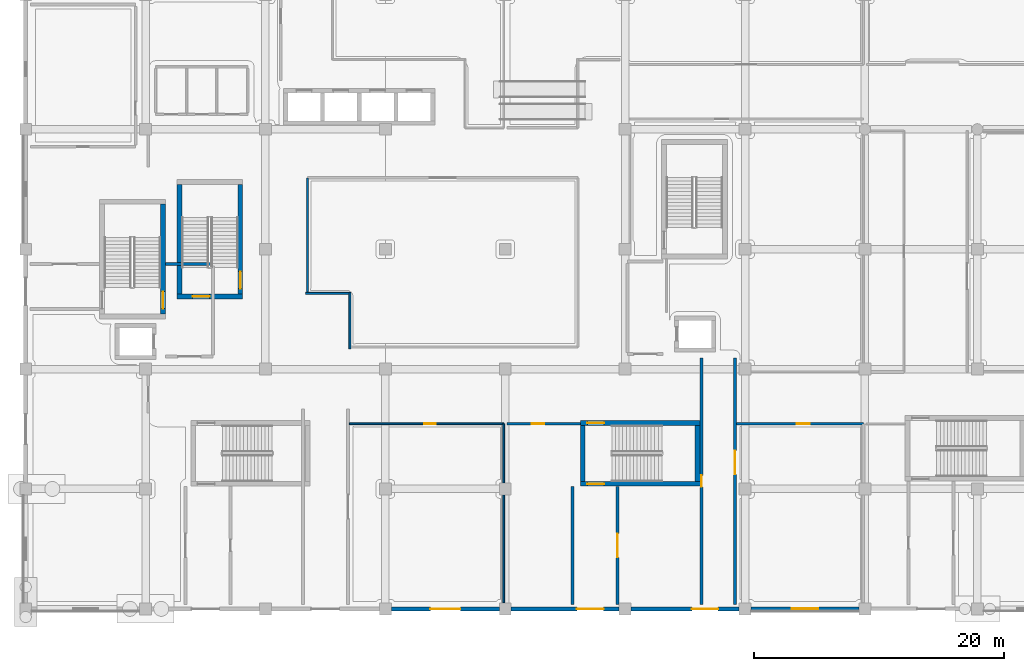
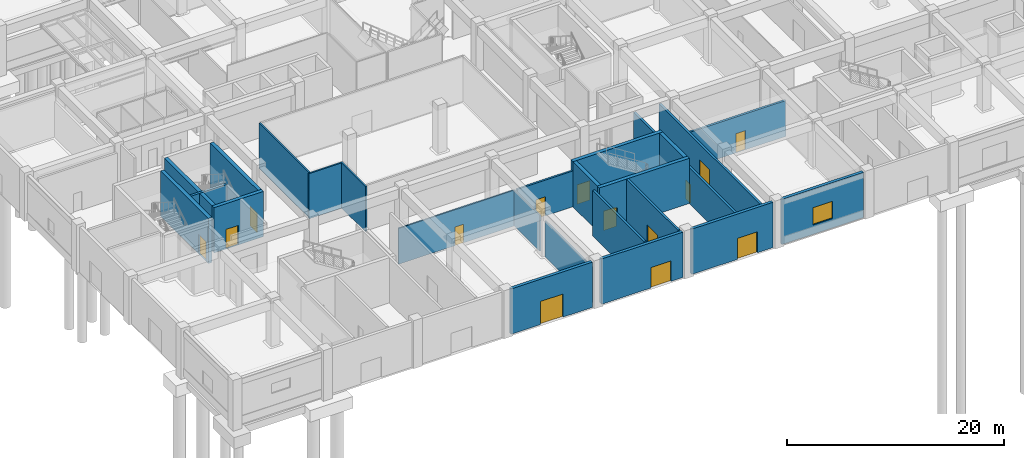
# One storey, part 28 of 74: 25 walls, 14 doors, 1 window, 15 openings.
"""IFC4 building model written with IfcOpenShell, lengths in metres."""

from ifc_helpers import new_model, si_unit, direction, frame, frame_2d, origin, place, context, subcontext, project, spatial, rectangle, extrude, material, layer, layer_set, type_object, element, fill, save


model = new_model("IFC4")

# Units and contexts
model_context = context("Model", 3, precision=1e-05, world=origin(), true_north=direction((0.0, 1.0)))
body_context = subcontext(model_context, "Body", "Model", "MODEL_VIEW")
ifc_project = project(units=[si_unit("LENGTHUNIT", "METRE"), si_unit("AREAUNIT", "SQUARE_METRE"), si_unit("VOLUMEUNIT", "CUBIC_METRE"), si_unit("PLANEANGLEUNIT", "RADIAN"), si_unit("MASSUNIT", "GRAM", prefix="KILO")], contexts=[model_context])

# Site, building, storey
site_placement = place(None, origin())
site = spatial("IfcSite", under=ifc_project, at=site_placement, CompositionType="ELEMENT")
building_placement = place(site_placement, origin())
building = spatial("IfcBuilding", under=site, at=building_placement, Name="Cendralis Terraced Arcade", CompositionType="ELEMENT")
storey_placement = place(building_placement, origin())
storey = spatial("IfcBuildingStorey", under=building, at=storey_placement, Name="L00", CompositionType="ELEMENT", Elevation=0.0)

# Wall, opening, door
ifc_material_1 = material(Name="Gypsum plasterboard acoustic partition", Category="concrete")
ifc_layer_1 = layer(ifc_material_1, 0.195068359375, Name="WL-ACOU-195")
ifc_layer_set_1 = layer_set([ifc_layer_1], Name="Gypsum plasterboard acoustic partition")
wall_type_1 = type_object("IfcWallType", Name="WL-ACOU-195", PredefinedType="PARTITIONING", material=ifc_layer_set_1)
wall_1_placement = place(storey_placement, frame((38.52001953125, 14.820068359375, 0.0), z_axis=(0.0, 0.0, 1.0), x_axis=(1.0, 0.0, 0.0)))
wall_1 = element("IfcWall", 1, at=wall_1_placement, inside=storey, type_object=wall_type_1, Name="Interior Partition Wall IW-L00-0229", PredefinedType="PARTITIONING", context=body_context, shape_type="SweptSolid", body=[
    extrude(rectangle(XDim=5.89990234375, YDim=0.195068359375, at=frame_2d((2.949951171875, 0.0))), origin(), (0.0, 0.0, 1.0), 4.030029296875),
])
opening_1_placement = place(wall_1_placement, frame((2.01171875, 0.0, 0.0)))
opening_1 = element("IfcOpeningElement", 2, at=opening_1_placement, cuts=wall_1, Name="Opening D-L00-069", PredefinedType="OPENING", context=body_context, shape_type="SweptSolid", body=[
    extrude(rectangle(XDim=0.97998046875, YDim=2.14990234375, at=frame_2d((0.489990234375, 1.074951171875))), frame((0.0, 0.109375, 0.0), z_axis=(0.0, -1.0, 0.0), x_axis=(1.0, 0.0, 0.0)), (0.0, 0.0, 1.0), 0.218994140625),
])
ifc_material_2 = material(Name="Solid core Andean oak veneer door leaf", Category="aluminium")
door_type_1 = type_object("IfcDoorType", Name="ID-RM-0980x2150", OperationType="NOTDEFINED", PredefinedType="DOOR", material=ifc_material_2)
door_1_placement = place(opening_1_placement, origin())
door_1 = element("IfcDoor", 3, at=door_1_placement, inside=storey, type_object=door_type_1, Name="Luxury Leather and Accessories Sales Floor Door D-L00-069", OperationType="SINGLE_SWING_LEFT", OverallHeight=2.14990234375, OverallWidth=0.97998046875, PredefinedType="DOOR", context=body_context, shape_type="SweptSolid", body=[
    extrude(rectangle(XDim=0.97998046875, YDim=2.14990234375, at=frame_2d((0.489990234375, 1.074951171875))), frame((0.0, 0.02490234375, 0.0), z_axis=(0.0, -1.0, 0.0), x_axis=(1.0, 0.0, 0.0)), (0.0, 0.0, 1.0), 0.050048828125),
])
fill(opening_1, door_1)

ifc_material_3 = material(Name="Autoclaved aerated concrete blockwork", Category="masonry")
ifc_layer_2 = layer(ifc_material_3, 0.22802734375, Name="WL-ACOU-228")
ifc_layer_set_2 = layer_set([ifc_layer_2], Name="Autoclaved aerated concrete blockwork")
wall_type_2 = type_object("IfcWallType", Name="WL-ACOU-228", PredefinedType="PARTITIONING", material=ifc_layer_set_2)
wall_2_placement = place(storey_placement, frame((56.91748046875, 14.820068359375, 0.0), z_axis=(0.0, 0.0, 1.0), x_axis=(1.0, 0.0, 0.0)))
wall_2 = element("IfcWall", 4, at=wall_2_placement, inside=storey, type_object=wall_type_2, Name="Interior Partition Wall IW-L00-0226", PredefinedType="PARTITIONING", context=body_context, shape_type="SweptSolid", body=[
    extrude(rectangle(XDim=10.16259765625, YDim=0.22802734375, at=frame_2d((5.081298828125, 0.0))), origin(), (0.0, 0.0, 1.0), 4.030029296875),
])
opening_2_placement = place(wall_2_placement, frame((4.83740234375, 0.0, 0.0)))
opening_2 = element("IfcOpeningElement", 5, at=opening_2_placement, cuts=wall_2, Name="Opening D-L00-067", PredefinedType="OPENING", context=body_context, shape_type="SweptSolid", body=[
    extrude(rectangle(XDim=1.030029296875, YDim=2.159912109375, at=frame_2d((0.51513671875, 1.080078125))), frame((0.0, 0.1259765625, 0.0), z_axis=(0.0, -1.0, 0.0), x_axis=(1.0, 0.0, 0.0)), (0.0, 0.0, 1.0), 0.251953125),
])
door_type_2 = type_object("IfcDoorType", Name="ID-RM-1030x2160", OperationType="NOTDEFINED", PredefinedType="DOOR", material=ifc_material_2)
door_2_placement = place(opening_2_placement, origin())
door_2 = element("IfcDoor", 6, at=door_2_placement, inside=storey, type_object=door_type_2, Name="Luxury Leather and Accessories Sales Floor Door D-L00-067", OperationType="SINGLE_SWING_LEFT", OverallHeight=2.159912109375, OverallWidth=1.030029296875, PredefinedType="DOOR", context=body_context, shape_type="SweptSolid", body=[
    extrude(rectangle(XDim=1.030029296875, YDim=2.159912109375, at=frame_2d((0.51513671875, 1.080078125))), frame((0.0, 0.02490234375, 0.0), z_axis=(0.0, -1.0, 0.0), x_axis=(1.0, 0.0, 0.0)), (0.0, 0.0, 1.0), 0.050048828125),
])
fill(opening_2, door_2)

ifc_material_4 = material(Name="Concrete f'c 42 MPa", Category="concrete")
ifc_layer_3 = layer(ifc_material_4, 0.3798828125, Name="WL-CORE-380")
ifc_layer_set_3 = layer_set([ifc_layer_3], Name="Concrete f'c 42 MPa")
wall_type_3 = type_object("IfcWallType", Name="WL-CORE-380", PredefinedType="SHEAR", material=ifc_layer_set_3)
wall_3_placement = place(storey_placement, frame((10.989990234375, 23.60009765625, 0.0), z_axis=(0.0, 0.0, 1.0), x_axis=(0.0, 1.0, 0.0)))
wall_3 = element("IfcWall", 7, at=wall_3_placement, inside=storey, type_object=wall_type_3, Name="Stair Core Reinforced Concrete Shear Wall SW-ST-01-L00-E", PredefinedType="SHEAR", context=body_context, shape_type="SweptSolid", body=[
    extrude(rectangle(XDim=8.7998046875, YDim=0.3798828125, at=frame_2d((4.39990234375, 0.0))), origin(), (0.0, 0.0, 1.0), 5.090087890625),
])
opening_3_placement = place(wall_3_placement, frame((0.449951171875, 0.0, 0.0)))
opening_3 = element("IfcOpeningElement", 8, at=opening_3_placement, cuts=wall_3, Name="Opening D-ST-01-L00", PredefinedType="OPENING", context=body_context, shape_type="SweptSolid", body=[
    extrude(rectangle(XDim=1.35009765625, YDim=2.199951171875, at=frame_2d((0.675048828125, 1.10009765625))), frame((0.0, 0.201904296875, 0.0), z_axis=(0.0, -1.0, 0.0), x_axis=(1.0, 0.0, 0.0)), (0.0, 0.0, 1.0), 0.40380859375),
])
ifc_material_5 = material(Name="Galvanised fire-rated steel door assembly", Category="steel")
door_type_3 = type_object("IfcDoorType", Name="ID-ST-1350x2200", OperationType="NOTDEFINED", PredefinedType="DOOR", material=ifc_material_5)
door_3_placement = place(opening_3_placement, origin())
door_3 = element("IfcDoor", 9, at=door_3_placement, inside=storey, type_object=door_type_3, Name="Protected Stair ST-01 Fire Door (L00)", OperationType="SINGLE_SWING_LEFT", OverallHeight=2.199951171875, OverallWidth=1.35009765625, PredefinedType="DOOR", context=body_context, shape_type="SweptSolid", body=[
    extrude(rectangle(XDim=1.35009765625, YDim=2.199951171875, at=frame_2d((0.675048828125, 1.10009765625))), frame((0.0, 0.02490234375, 0.0), z_axis=(0.0, -1.0, 0.0), x_axis=(1.0, 0.0, 0.0)), (0.0, 0.0, 1.0), 0.050048828125),
])
fill(opening_3, door_3)

wall_4_placement = place(storey_placement, frame((44.419921875, 10.010009765625, 0.0), z_axis=(0.0, 0.0, 1.0), x_axis=(1.0, 0.0, 0.0)))
wall_4 = element("IfcWall", 10, at=wall_4_placement, inside=storey, type_object=wall_type_3, Name="Stair Core Reinforced Concrete Shear Wall SW-ST-03-L00-S", PredefinedType="SHEAR", context=body_context, shape_type="SweptSolid", body=[
    extrude(rectangle(XDim=9.56005859375, YDim=0.3798828125, at=frame_2d((4.780029296875, 0.0))), origin(), (0.0, 0.0, 1.0), 5.090087890625),
])
opening_4_placement = place(wall_4_placement, frame((0.550048828125, 0.0, 0.0)))
opening_4 = element("IfcOpeningElement", 11, at=opening_4_placement, cuts=wall_4, Name="Opening D-ST-03-EXP", PredefinedType="OPENING", context=body_context, shape_type="SweptSolid", body=[
    extrude(rectangle(XDim=1.35009765625, YDim=2.199951171875, at=frame_2d((0.675048828125, 1.10009765625))), frame((0.0, 0.201904296875, 0.0), z_axis=(0.0, -1.0, 0.0), x_axis=(1.0, 0.0, 0.0)), (0.0, 0.0, 1.0), 0.40380859375),
])
door_4_placement = place(opening_4_placement, frame((1.35009765625, 0.0, 0.0), z_axis=(0.0, 0.0, 1.0), x_axis=(-1.0, 0.0, 0.0)))
door_4 = element("IfcDoor", 12, at=door_4_placement, inside=storey, type_object=door_type_3, Name="Stair ST-03 Exit Passage Discharge Door", OperationType="SINGLE_SWING_RIGHT", OverallHeight=2.199951171875, OverallWidth=1.35009765625, PredefinedType="DOOR", context=body_context, shape_type="SweptSolid", body=[
    extrude(rectangle(XDim=1.35009765625, YDim=2.199951171875, at=frame_2d((0.675048828125, 1.10009765625))), frame((0.0, 0.02490234375, 0.0), z_axis=(0.0, -1.0, 0.0), x_axis=(1.0, 0.0, 0.0)), (0.0, 0.0, 1.0), 0.050048828125),
])
fill(opening_4, door_4)

wall_5_placement = place(storey_placement, frame((44.419921875, 14.889892578125, 0.0), z_axis=(0.0, 0.0, 1.0), x_axis=(1.0, 0.0, 0.0)))
wall_5 = element("IfcWall", 13, at=wall_5_placement, inside=storey, type_object=wall_type_3, Name="Stair Core Reinforced Concrete Shear Wall SW-ST-03-L00-N", PredefinedType="SHEAR", context=body_context, shape_type="SweptSolid", body=[
    extrude(rectangle(XDim=9.56005859375, YDim=0.3798828125, at=frame_2d((4.780029296875, 0.0))), origin(), (0.0, 0.0, 1.0), 5.090087890625),
])
opening_5_placement = place(wall_5_placement, frame((0.550048828125, 0.0, 0.0)))
opening_5 = element("IfcOpeningElement", 14, at=opening_5_placement, cuts=wall_5, Name="Opening D-ST-03-L00", PredefinedType="OPENING", context=body_context, shape_type="SweptSolid", body=[
    extrude(rectangle(XDim=1.35009765625, YDim=2.199951171875, at=frame_2d((0.675048828125, 1.10009765625))), frame((0.0, 0.201904296875, 0.0), z_axis=(0.0, -1.0, 0.0), x_axis=(1.0, 0.0, 0.0)), (0.0, 0.0, 1.0), 0.40380859375),
])
door_5_placement = place(opening_5_placement, frame((1.35009765625, 0.0, 0.0), z_axis=(0.0, 0.0, 1.0), x_axis=(-1.0, 0.0, 0.0)))
door_5 = element("IfcDoor", 15, at=door_5_placement, inside=storey, type_object=door_type_3, Name="Protected Stair ST-03 Fire Door (L00)", OperationType="SINGLE_SWING_LEFT", OverallHeight=2.199951171875, OverallWidth=1.35009765625, PredefinedType="DOOR", context=body_context, shape_type="SweptSolid", body=[
    extrude(rectangle(XDim=1.35009765625, YDim=2.199951171875, at=frame_2d((0.675048828125, 1.10009765625))), frame((0.0, 0.02490234375, 0.0), z_axis=(0.0, -1.0, 0.0), x_axis=(1.0, 0.0, 0.0)), (0.0, 0.0, 1.0), 0.050048828125),
])
fill(opening_5, door_5)

# Walls
for number, where, z_axis, x_axis, name in (
    (16, (53.7900390625, 10.199951171875, 0.0), (0.0, 0.0, 1.0), (0.0, 1.0, 0.0), "Stair Core Reinforced Concrete Shear Wall SW-ST-03-L00-E"),
    (17, (44.610107421875, 10.199951171875, 0.0), (0.0, 0.0, 1.0), (0.0, 1.0, 0.0), "Stair Core Reinforced Concrete Shear Wall SW-ST-03-L00-W"),
):
    element("IfcWall", number, at=place(storey_placement, frame(where, z_axis=z_axis, x_axis=x_axis)), inside=storey, type_object=wall_type_3, Name=name, PredefinedType="SHEAR", context=body_context, shape_type="SweptSolid", body=[
        extrude(rectangle(XDim=4.5, YDim=0.3798828125, at=frame_2d((2.25, 0.0))), origin(), (0.0, 0.0, 1.0), 5.090087890625),
    ])

# Wall, opening, door
wall_6_placement = place(storey_placement, frame((12.1201171875, 25.010009765625, 0.0), z_axis=(0.0, 0.0, 1.0), x_axis=(1.0, 0.0, 0.0)))
wall_6 = element("IfcWall", 18, at=wall_6_placement, inside=storey, type_object=wall_type_3, Name="Stair Core Reinforced Concrete Shear Wall SW-ST-05-L00-S", PredefinedType="SHEAR", context=body_context, shape_type="SweptSolid", body=[
    extrude(rectangle(XDim=5.259765625, YDim=0.3798828125, at=frame_2d((2.6298828125, 0.0))), origin(), (0.0, 0.0, 1.0), 5.090087890625),
])
opening_6_placement = place(wall_6_placement, frame((1.25, 0.0, 0.0)))
opening_6 = element("IfcOpeningElement", 19, at=opening_6_placement, cuts=wall_6, Name="Opening D-ST-05-EXP", PredefinedType="OPENING", context=body_context, shape_type="SweptSolid", body=[
    extrude(rectangle(XDim=1.35009765625, YDim=2.199951171875, at=frame_2d((0.675048828125, 1.10009765625))), frame((0.0, 0.201904296875, 0.0), z_axis=(0.0, -1.0, 0.0), x_axis=(1.0, 0.0, 0.0)), (0.0, 0.0, 1.0), 0.40380859375),
])
door_6_placement = place(opening_6_placement, frame((1.35009765625, 0.0, 0.0), z_axis=(0.0, 0.0, 1.0), x_axis=(-1.0, 0.0, 0.0)))
door_6 = element("IfcDoor", 20, at=door_6_placement, inside=storey, type_object=door_type_3, Name="Stair ST-05 Exit Passage Discharge Door", OperationType="SINGLE_SWING_LEFT", OverallHeight=2.199951171875, OverallWidth=1.35009765625, PredefinedType="DOOR", context=body_context, shape_type="SweptSolid", body=[
    extrude(rectangle(XDim=1.35009765625, YDim=2.199951171875, at=frame_2d((0.675048828125, 1.10009765625))), frame((0.0, 0.02490234375, 0.0), z_axis=(0.0, -1.0, 0.0), x_axis=(1.0, 0.0, 0.0)), (0.0, 0.0, 1.0), 0.050048828125),
])
fill(opening_6, door_6)

wall_7_placement = place(storey_placement, frame((17.18994140625, 25.199951171875, 0.0), z_axis=(0.0, 0.0, 1.0), x_axis=(0.0, 1.0, 0.0)))
wall_7 = element("IfcWall", 21, at=wall_7_placement, inside=storey, type_object=wall_type_3, Name="Stair Core Reinforced Concrete Shear Wall SW-ST-05-L00-E", PredefinedType="SHEAR", context=body_context, shape_type="SweptSolid", body=[
    extrude(rectangle(XDim=8.800048828125, YDim=0.3798828125, at=frame_2d((4.39990234375, 0.0))), origin(), (0.0, 0.0, 1.0), 5.090087890625),
])
opening_7_placement = place(wall_7_placement, frame((0.449951171875, 0.0, 0.0)))
opening_7 = element("IfcOpeningElement", 22, at=opening_7_placement, cuts=wall_7, Name="Opening D-ST-05-L00", PredefinedType="OPENING", context=body_context, shape_type="SweptSolid", body=[
    extrude(rectangle(XDim=1.35009765625, YDim=2.199951171875, at=frame_2d((0.675048828125, 1.10009765625))), frame((0.0, 0.201904296875, 0.0), z_axis=(0.0, -1.0, 0.0), x_axis=(1.0, 0.0, 0.0)), (0.0, 0.0, 1.0), 0.40380859375),
])
door_7_placement = place(opening_7_placement, origin())
door_7 = element("IfcDoor", 23, at=door_7_placement, inside=storey, type_object=door_type_3, Name="Protected Stair ST-05 Fire Door (L00)", OperationType="SINGLE_SWING_RIGHT", OverallHeight=2.199951171875, OverallWidth=1.35009765625, PredefinedType="DOOR", context=body_context, shape_type="SweptSolid", body=[
    extrude(rectangle(XDim=1.35009765625, YDim=2.199951171875, at=frame_2d((0.675048828125, 1.10009765625))), frame((0.0, 0.02490234375, 0.0), z_axis=(0.0, -1.0, 0.0), x_axis=(1.0, 0.0, 0.0)), (0.0, 0.0, 1.0), 0.050048828125),
])
fill(opening_7, door_7)

# Wall
wall_8_placement = place(storey_placement, frame((12.31005859375, 25.199951171875, 0.0), z_axis=(0.0, 0.0, 1.0), x_axis=(0.0, 1.0, 0.0)))
element("IfcWall", 24, at=wall_8_placement, inside=storey, type_object=wall_type_3, Name="Stair Core Reinforced Concrete Shear Wall SW-ST-05-L00-W", PredefinedType="SHEAR", context=body_context, shape_type="SweptSolid", body=[
    extrude(rectangle(XDim=8.800048828125, YDim=0.3798828125, at=frame_2d((4.39990234375, 0.0))), origin(), (0.0, 0.0, 1.0), 5.090087890625),
])

# Wall, opening, window
ifc_material_6 = material(Name="Precast concrete f'c 40 MPa", Category="concrete")
ifc_layer_4 = layer(ifc_material_6, 0.320068359375, Name="WL-EXT-GRC-320")
ifc_layer_set_4 = layer_set([ifc_layer_4], Name="Precast concrete f'c 40 MPa")
wall_type_4 = type_object("IfcWallType", Name="WL-EXT-GRC-320", PredefinedType="SOLIDWALL", material=ifc_layer_set_4)
wall_9_placement = place(storey_placement, frame((66.72705078125, 0.0, 0.0), z_axis=(0.0, 0.0, 1.0), x_axis=(-1.0, 0.0, 0.0)))
wall_9 = element("IfcWall", 25, at=wall_9_placement, inside=storey, type_object=wall_type_4, Name="Exterior Architectural Wall EW-L00-0008", PredefinedType="SOLIDWALL", context=body_context, shape_type="SweptSolid", body=[
    extrude(rectangle(XDim=8.654052734375, YDim=0.320068359375, at=frame_2d((4.3271484375, 0.0))), origin(), (0.0, 0.0, 1.0), 5.090087890625),
])
opening_8_placement = place(wall_9_placement, frame((3.277099609375, 0.0, 1.050048828125)))
opening_8 = element("IfcOpeningElement", 26, at=opening_8_placement, cuts=wall_9, Name="Opening W-12", PredefinedType="OPENING", context=body_context, shape_type="SweptSolid", body=[
    extrude(rectangle(XDim=2.10009765625, YDim=1.949951171875, at=frame_2d((1.050048828125, 0.97509765625))), frame((0.0, 0.171875, 0.0), z_axis=(0.0, -1.0, 0.0), x_axis=(1.0, 0.0, 0.0)), (0.0, 0.0, 1.0), 0.343994140625),
])
ifc_material_7 = material(Name="Tempered solar control laminated glass", Category="glass")
window_type = type_object("IfcWindowType", Name="WN-F2-2100x1950", PartitioningType="SINGLE_PANEL", PredefinedType="WINDOW", material=ifc_material_7)
window_placement = place(opening_8_placement, origin())
window = element("IfcWindow", 27, at=window_placement, inside=storey, type_object=window_type, Name="Exterior Solar-Control Window WN-L00-0005", OverallHeight=1.949951171875, OverallWidth=2.10009765625, PartitioningType="SINGLE_PANEL", PredefinedType="WINDOW", context=body_context, shape_type="SweptSolid", body=[
    extrude(rectangle(XDim=2.10009765625, YDim=1.949951171875, at=frame_2d((1.050048828125, 0.97509765625))), frame((0.0, 0.030029296875, 0.0), z_axis=(0.0, -1.0, 0.0), x_axis=(1.0, 0.0, 0.0)), (0.0, 0.0, 1.0), 0.06005859375),
])
fill(opening_8, window)

# Wall, opening, door
wall_10_placement = place(storey_placement, frame((57.125, 0.0, 0.0), z_axis=(0.0, 0.0, 1.0), x_axis=(-1.0, 0.0, 0.0)))
wall_10 = element("IfcWall", 28, at=wall_10_placement, inside=storey, type_object=wall_type_4, Name="Exterior Architectural Wall EW-L00-0009", PredefinedType="SOLIDWALL", context=body_context, shape_type="SweptSolid", body=[
    extrude(rectangle(XDim=8.64990234375, YDim=0.320068359375, at=frame_2d((4.324951171875, 0.0))), origin(), (0.0, 0.0, 1.0), 5.090087890625),
])
opening_9_placement = place(wall_10_placement, frame((1.675048828125, 0.0, 0.0)))
opening_9 = element("IfcOpeningElement", 29, at=opening_9_placement, cuts=wall_10, Name="Opening EX-04", PredefinedType="OPENING", context=body_context, shape_type="SweptSolid", body=[
    extrude(rectangle(XDim=2.10009765625, YDim=2.35009765625, at=frame_2d((1.050048828125, 1.175048828125))), frame((0.0, 0.171875, 0.0), z_axis=(0.0, -1.0, 0.0), x_axis=(1.0, 0.0, 0.0)), (0.0, 0.0, 1.0), 0.343994140625),
])
ifc_material_8 = material(Name="Powder-coated thermally broken aluminium and glass", Category="aluminium")
door_type_4 = type_object("IfcDoorType", Name="ED-PASS-2100x2350", OperationType="DOUBLE_DOOR_SINGLE_SWING", PredefinedType="DOOR", material=ifc_material_8)
door_8_placement = place(opening_9_placement, origin())
door_8 = element("IfcDoor", 30, at=door_8_placement, inside=storey, type_object=door_type_4, Name="Exit Passage ST-04 Final Exit Door EX-04", OperationType="DOUBLE_DOOR_SINGLE_SWING", OverallHeight=2.35009765625, OverallWidth=2.10009765625, PredefinedType="DOOR", context=body_context, shape_type="SweptSolid", body=[
    extrude(rectangle(XDim=2.10009765625, YDim=2.35009765625, at=frame_2d((1.050048828125, 1.175048828125))), frame((0.0, 0.02490234375, 0.0), z_axis=(0.0, -1.0, 0.0), x_axis=(1.0, 0.0, 0.0)), (0.0, 0.0, 1.0), 0.050048828125),
])
fill(opening_9, door_8)

wall_11_placement = place(storey_placement, frame((47.52490234375, 0.0, 0.0), z_axis=(0.0, 0.0, 1.0), x_axis=(-1.0, 0.0, 0.0)))
wall_11 = element("IfcWall", 31, at=wall_11_placement, inside=storey, type_object=wall_type_4, Name="Exterior Architectural Wall EW-L00-0010", PredefinedType="SOLIDWALL", context=body_context, shape_type="SweptSolid", body=[
    extrude(rectangle(XDim=8.64990234375, YDim=0.320068359375, at=frame_2d((4.324951171875, 0.0))), origin(), (0.0, 0.0, 1.0), 5.090087890625),
])
opening_10_placement = place(wall_11_placement, frame((1.25, 0.0, 0.0)))
opening_10 = element("IfcOpeningElement", 32, at=opening_10_placement, cuts=wall_11, Name="Opening EX-03", PredefinedType="OPENING", context=body_context, shape_type="SweptSolid", body=[
    extrude(rectangle(XDim=2.14990234375, YDim=2.300048828125, at=frame_2d((1.074951171875, 1.14990234375))), frame((0.0, 0.171875, 0.0), z_axis=(0.0, -1.0, 0.0), x_axis=(1.0, 0.0, 0.0)), (0.0, 0.0, 1.0), 0.343994140625),
])
door_type_5 = type_object("IfcDoorType", Name="ED-PASS-2150x2300", OperationType="DOUBLE_DOOR_SINGLE_SWING", PredefinedType="DOOR", material=ifc_material_8)
door_9_placement = place(opening_10_placement, origin())
door_9 = element("IfcDoor", 33, at=door_9_placement, inside=storey, type_object=door_type_5, Name="Exit Passage ST-03 Final Exit Door EX-03", OperationType="DOUBLE_DOOR_SINGLE_SWING", OverallHeight=2.300048828125, OverallWidth=2.14990234375, PredefinedType="DOOR", context=body_context, shape_type="SweptSolid", body=[
    extrude(rectangle(XDim=2.14990234375, YDim=2.300048828125, at=frame_2d((1.074951171875, 1.14990234375))), frame((0.0, 0.02490234375, 0.0), z_axis=(0.0, -1.0, 0.0), x_axis=(1.0, 0.0, 0.0)), (0.0, 0.0, 1.0), 0.050048828125),
])
fill(opening_10, door_9)

wall_12_placement = place(storey_placement, frame((37.925048828125, 0.0, 0.0), z_axis=(0.0, 0.0, 1.0), x_axis=(-1.0, 0.0, 0.0)))
wall_12 = element("IfcWall", 34, at=wall_12_placement, inside=storey, type_object=wall_type_4, Name="Exterior Architectural Wall EW-L00-0011", PredefinedType="SOLIDWALL", context=body_context, shape_type="SweptSolid", body=[
    extrude(rectangle(XDim=8.650146484375, YDim=0.320068359375, at=frame_2d((4.3251953125, 0.0))), origin(), (0.0, 0.0, 1.0), 5.090087890625),
])
opening_11_placement = place(wall_12_placement, frame((3.125, 0.0, 0.0)))
opening_11 = element("IfcOpeningElement", 35, at=opening_11_placement, cuts=wall_12, Name="Opening EX-11", PredefinedType="OPENING", context=body_context, shape_type="SweptSolid", body=[
    extrude(rectangle(XDim=2.39990234375, YDim=2.60009765625, at=frame_2d((1.199951171875, 1.300048828125))), frame((0.0, 0.171875, 0.0), z_axis=(0.0, -1.0, 0.0), x_axis=(1.0, 0.0, 0.0)), (0.0, 0.0, 1.0), 0.343994140625),
])
door_type_6 = type_object("IfcDoorType", Name="ED-MAIN-2200x2600", OperationType="DOUBLE_DOOR_SINGLE_SWING", PredefinedType="DOOR", material=ifc_material_8)
door_10_placement = place(opening_11_placement, origin())
door_10 = element("IfcDoor", 36, at=door_10_placement, inside=storey, type_object=door_type_6, Name="South Avenue Flagship Entrance EX-11", OperationType="DOUBLE_DOOR_SINGLE_SWING", OverallHeight=2.60009765625, OverallWidth=2.39990234375, PredefinedType="DOOR", context=body_context, shape_type="SweptSolid", body=[
    extrude(rectangle(XDim=2.39990234375, YDim=2.60009765625, at=frame_2d((1.199951171875, 1.300048828125))), frame((0.0, 0.02490234375, 0.0), z_axis=(0.0, -1.0, 0.0), x_axis=(1.0, 0.0, 0.0)), (0.0, 0.0, 1.0), 0.050048828125),
])
fill(opening_11, door_10)

# Walls
ifc_layer_5 = layer(ifc_material_3, 0.25, Name="WL-FFL-250")
ifc_layer_set_5 = layer_set([ifc_layer_5], Name="Autoclaved aerated concrete blockwork")
wall_type_5 = type_object("IfcWallType", Name="WL-FFL-250", PredefinedType="PARTITIONING", material=ifc_layer_set_5)
wall_13_placement = place(storey_placement, frame((11.199951171875, 27.60009765625, 0.0), z_axis=(0.0, 0.0, 1.0), x_axis=(1.0, 0.0, 0.0)))
element("IfcWall", 37, at=wall_13_placement, inside=storey, type_object=wall_type_5, Name="Firefighting Lift Lobby FFL-01 Rated Wall N (L00)", PredefinedType="PARTITIONING", context=body_context, shape_type="SweptSolid", body=[
    extrude(rectangle(XDim=3.800048828125, YDim=0.25, at=frame_2d((1.89990234375, 0.0))), origin(), (0.0, 0.0, 1.0), 5.090087890625),
])
ifc_layer_6 = layer(ifc_material_3, 0.235107421875, Name="WL-FIRE-235")
ifc_layer_set_6 = layer_set([ifc_layer_6], Name="Autoclaved aerated concrete blockwork")
wall_type_6 = type_object("IfcWallType", Name="WL-FIRE-235", PredefinedType="PARTITIONING", material=ifc_layer_set_6)
wall_14_placement = place(storey_placement, frame((43.800048828125, 0.35009765625, 0.0), z_axis=(0.0, 0.0, 1.0), x_axis=(0.0, 1.0, 0.0)))
element("IfcWall", 38, at=wall_14_placement, inside=storey, type_object=wall_type_6, Name="Protected Exit Passage 2-Hour Wall EP-ST03-W", PredefinedType="PARTITIONING", context=body_context, shape_type="SweptSolid", body=[
    extrude(rectangle(XDim=9.449951171875, YDim=0.235107421875, at=frame_2d((4.72509765625, 0.0))), origin(), (0.0, 0.0, 1.0), 5.090087890625),
])

# Wall, opening, door
wall_15_placement = place(storey_placement, frame((47.39990234375, 0.35009765625, 0.0), z_axis=(0.0, 0.0, 1.0), x_axis=(0.0, 1.0, 0.0)))
wall_15 = element("IfcWall", 39, at=wall_15_placement, inside=storey, type_object=wall_type_6, Name="Protected Exit Passage 2-Hour Wall EP-ST03-E", PredefinedType="PARTITIONING", context=body_context, shape_type="SweptSolid", body=[
    extrude(rectangle(XDim=9.449951171875, YDim=0.235107421875, at=frame_2d((4.72509765625, 0.0))), origin(), (0.0, 0.0, 1.0), 5.090087890625),
])
opening_12_placement = place(wall_15_placement, frame((3.77490234375, 0.0, 0.0)))
opening_12 = element("IfcOpeningElement", 40, at=opening_12_placement, cuts=wall_15, Name="Opening D-EP-ST03-E", PredefinedType="OPENING", context=body_context, shape_type="SweptSolid", body=[
    extrude(rectangle(XDim=1.89990234375, YDim=2.25, at=frame_2d((0.949951171875, 1.125))), frame((0.0, 0.12939453125, 0.0), z_axis=(0.0, -1.0, 0.0), x_axis=(1.0, 0.0, 0.0)), (0.0, 0.0, 1.0), 0.259033203125),
])
door_type_7 = type_object("IfcDoorType", Name="ID-EXP-1900x2250", OperationType="DOUBLE_DOOR_SINGLE_SWING", PredefinedType="DOOR", material=ifc_material_5)
door_11_placement = place(opening_12_placement, origin())
door_11 = element("IfcDoor", 41, at=door_11_placement, inside=storey, type_object=door_type_7, Name="Protected Exit Passage Fire Door EP-ST03-E", OperationType="DOUBLE_DOOR_SINGLE_SWING", OverallHeight=2.25, OverallWidth=1.89990234375, PredefinedType="DOOR", context=body_context, shape_type="SweptSolid", body=[
    extrude(rectangle(XDim=1.89990234375, YDim=2.25, at=frame_2d((0.949951171875, 1.125))), frame((0.0, 0.02490234375, 0.0), z_axis=(0.0, -1.0, 0.0), x_axis=(1.0, 0.0, 0.0)), (0.0, 0.0, 1.0), 0.050048828125),
])
fill(opening_12, door_11)

wall_16_placement = place(storey_placement, frame((54.10009765625, 0.35009765625, 0.0), z_axis=(0.0, 0.0, 1.0), x_axis=(0.0, 1.0, 0.0)))
wall_16 = element("IfcWall", 42, at=wall_16_placement, inside=storey, type_object=wall_type_6, Name="Protected Exit Passage 2-Hour Wall EP-ST04-W", PredefinedType="PARTITIONING", context=body_context, shape_type="SweptSolid", body=[
    extrude(rectangle(XDim=19.75, YDim=0.235107421875, at=frame_2d((9.875, 0.0))), origin(), (0.0, 0.0, 1.0), 4.030029296875),
])
opening_13_placement = place(wall_16_placement, frame((9.4150390625, 0.0, 0.0)))
opening_13 = element("IfcOpeningElement", 43, at=opening_13_placement, cuts=wall_16, Name="Opening D-L00-068", PredefinedType="OPENING", context=body_context, shape_type="SweptSolid", body=[
    extrude(rectangle(XDim=0.919921875, YDim=2.10009765625, at=frame_2d((0.4599609375, 1.050048828125))), frame((0.0, 0.12939453125, 0.0), z_axis=(0.0, -1.0, 0.0), x_axis=(1.0, 0.0, 0.0)), (0.0, 0.0, 1.0), 0.259033203125),
])
door_type_8 = type_object("IfcDoorType", Name="ID-RM-0920x2100", OperationType="NOTDEFINED", PredefinedType="DOOR", material=ifc_material_2)
door_12_placement = place(opening_13_placement, origin())
door_12 = element("IfcDoor", 44, at=door_12_placement, inside=storey, type_object=door_type_8, Name="Luxury Leather and Accessories Sales Floor Door D-L00-068", OperationType="SINGLE_SWING_RIGHT", OverallHeight=2.10009765625, OverallWidth=0.919921875, PredefinedType="DOOR", context=body_context, shape_type="SweptSolid", body=[
    extrude(rectangle(XDim=0.919921875, YDim=2.10009765625, at=frame_2d((0.4599609375, 1.050048828125))), frame((0.0, 0.02490234375, 0.0), z_axis=(0.0, -1.0, 0.0), x_axis=(1.0, 0.0, 0.0)), (0.0, 0.0, 1.0), 0.050048828125),
])
fill(opening_13, door_12)

wall_17_placement = place(storey_placement, frame((56.800048828125, 0.35009765625, 0.0), z_axis=(0.0, 0.0, 1.0), x_axis=(0.0, 1.0, 0.0)))
wall_17 = element("IfcWall", 45, at=wall_17_placement, inside=storey, type_object=wall_type_6, Name="Protected Exit Passage 2-Hour Wall EP-ST04-E", PredefinedType="PARTITIONING", context=body_context, shape_type="SweptSolid", body=[
    extrude(rectangle(XDim=19.75, YDim=0.235107421875, at=frame_2d((9.875, 0.0))), origin(), (0.0, 0.0, 1.0), 4.030029296875),
])
opening_14_placement = place(wall_17_placement, frame((10.425048828125, 0.0, 0.0)))
opening_14 = element("IfcOpeningElement", 46, at=opening_14_placement, cuts=wall_17, Name="Opening D-EP-ST04-E", PredefinedType="OPENING", context=body_context, shape_type="SweptSolid", body=[
    extrude(rectangle(XDim=1.89990234375, YDim=2.25, at=frame_2d((0.949951171875, 1.125))), frame((0.0, 0.12939453125, 0.0), z_axis=(0.0, -1.0, 0.0), x_axis=(1.0, 0.0, 0.0)), (0.0, 0.0, 1.0), 0.259033203125),
])
door_13_placement = place(opening_14_placement, origin())
door_13 = element("IfcDoor", 47, at=door_13_placement, inside=storey, type_object=door_type_7, Name="Protected Exit Passage Fire Door EP-ST04-E", OperationType="DOUBLE_DOOR_SINGLE_SWING", OverallHeight=2.25, OverallWidth=1.89990234375, PredefinedType="DOOR", context=body_context, shape_type="SweptSolid", body=[
    extrude(rectangle(XDim=1.89990234375, YDim=2.25, at=frame_2d((0.949951171875, 1.125))), frame((0.0, 0.02490234375, 0.0), z_axis=(0.0, -1.0, 0.0), x_axis=(1.0, 0.0, 0.0)), (0.0, 0.0, 1.0), 0.050048828125),
])
fill(opening_14, door_13)

# Walls
ifc_layer_7 = layer(ifc_material_1, 0.137939453125, Name="WL-PART-138")
ifc_layer_set_7 = layer_set([ifc_layer_7], Name="Gypsum plasterboard acoustic partition")
wall_type_7 = type_object("IfcWallType", Name="WL-PART-138", PredefinedType="PARTITIONING", material=ifc_layer_set_7)
wall_18_placement = place(storey_placement, frame((38.280029296875, 9.10498046875, 0.0), z_axis=(0.0, 0.0, 1.0), x_axis=(0.0, -1.0, 0.0)))
element("IfcWall", 48, at=wall_18_placement, inside=storey, type_object=wall_type_7, Name="Interior Partition Wall IW-L00-0198", PredefinedType="PARTITIONING", context=body_context, shape_type="SweptSolid", body=[
    extrude(rectangle(XDim=8.60986328125, YDim=0.137939453125, at=frame_2d((4.304931640625, 0.0))), origin(), (0.0, 0.0, 1.0), 4.030029296875),
])
ifc_layer_8 = layer(ifc_material_1, 0.14208984375, Name="WL-PART-142")
ifc_layer_set_8 = layer_set([ifc_layer_8], Name="Gypsum plasterboard acoustic partition")
wall_type_8 = type_object("IfcWallType", Name="WL-PART-142", PredefinedType="PARTITIONING", material=ifc_layer_set_8)
wall_19_placement = place(storey_placement, frame((38.280029296875, 14.820068359375, 0.0), z_axis=(0.0, 0.0, 1.0), x_axis=(0.0, -1.0, 0.0)))
element("IfcWall", 49, at=wall_19_placement, inside=storey, type_object=wall_type_8, Name="Interior Partition Wall IW-L00-0197", PredefinedType="PARTITIONING", context=body_context, shape_type="SweptSolid", body=[
    extrude(rectangle(XDim=4.72509765625, YDim=0.14208984375, at=frame_2d((2.362548828125, 0.0))), origin(), (0.0, 0.0, 1.0), 4.030029296875),
])

# Wall, opening, door
ifc_layer_9 = layer(ifc_material_1, 0.14501953125, Name="WL-PART-145")
ifc_layer_set_9 = layer_set([ifc_layer_9], Name="Gypsum plasterboard acoustic partition")
wall_type_9 = type_object("IfcWallType", Name="WL-PART-145", PredefinedType="PARTITIONING", material=ifc_layer_set_9)
wall_20_placement = place(storey_placement, frame((25.91748046875, 14.820068359375, 0.0), z_axis=(0.0, 0.0, 1.0), x_axis=(1.0, 0.0, 0.0)))
wall_20 = element("IfcWall", 50, at=wall_20_placement, inside=storey, type_object=wall_type_9, Name="Interior Partition Wall IW-L00-0196", PredefinedType="PARTITIONING", context=body_context, shape_type="SweptSolid", body=[
    extrude(rectangle(XDim=12.362548828125, YDim=0.14501953125, at=frame_2d((6.18115234375, 0.0))), origin(), (0.0, 0.0, 1.0), 4.030029296875),
])
opening_15_placement = place(wall_20_placement, frame((5.992431640625, 0.0, 0.0)))
opening_15 = element("IfcOpeningElement", 51, at=opening_15_placement, cuts=wall_20, Name="Opening D-L00-060", PredefinedType="OPENING", context=body_context, shape_type="SweptSolid", body=[
    extrude(rectangle(XDim=0.919921875, YDim=2.10009765625, at=frame_2d((0.4599609375, 1.050048828125))), frame((0.0, 0.08447265625, 0.0), z_axis=(0.0, -1.0, 0.0), x_axis=(1.0, 0.0, 0.0)), (0.0, 0.0, 1.0), 0.1689453125),
])
door_14_placement = place(opening_15_placement, origin())
door_14 = element("IfcDoor", 52, at=door_14_placement, inside=storey, type_object=door_type_8, Name="Cosmetics and Perfumery Sales Floor Door D-L00-060", OperationType="SINGLE_SWING_RIGHT", OverallHeight=2.10009765625, OverallWidth=0.919921875, PredefinedType="DOOR", context=body_context, shape_type="SweptSolid", body=[
    extrude(rectangle(XDim=0.919921875, YDim=2.10009765625, at=frame_2d((0.4599609375, 1.050048828125))), frame((0.0, 0.02490234375, 0.0), z_axis=(0.0, -1.0, 0.0), x_axis=(1.0, 0.0, 0.0)), (0.0, 0.0, 1.0), 0.050048828125),
])
fill(opening_15, door_14)

# Walls
ifc_layer_10 = layer(ifc_material_1, 0.154052734375, Name="WL-PART-154")
ifc_layer_set_10 = layer_set([ifc_layer_10], Name="Gypsum plasterboard acoustic partition")
wall_type_10 = type_object("IfcWallType", Name="WL-PART-154", PredefinedType="PARTITIONING", material=ifc_layer_set_10)
wall_21_placement = place(storey_placement, frame((25.8798828125, 25.260009765625, 0.0), z_axis=(0.0, 0.0, 1.0), x_axis=(-1.0, 0.0, 0.0)))
element("IfcWall", 53, at=wall_21_placement, inside=storey, type_object=wall_type_10, Name="Interior Partition Wall IW-L00-0195", PredefinedType="PARTITIONING", context=body_context, shape_type="SweptSolid", body=[
    extrude(rectangle(XDim=3.4609375, YDim=0.154052734375, at=frame_2d((1.73046875, 0.0))), origin(), (0.0, 0.0, 1.0), 5.090087890625),
])
ifc_layer_11 = layer(ifc_material_1, 0.159912109375, Name="WL-PART-160")
ifc_layer_set_11 = layer_set([ifc_layer_11], Name="Gypsum plasterboard acoustic partition")
wall_type_11 = type_object("IfcWallType", Name="WL-PART-160", PredefinedType="PARTITIONING", material=ifc_layer_set_11)
wall_22_placement = place(storey_placement, frame((25.9599609375, 20.819091796875, 0.0), z_axis=(0.0, 0.0, 1.0), x_axis=(0.0, 1.0, 0.0)))
element("IfcWall", 54, at=wall_22_placement, inside=storey, type_object=wall_type_11, Name="Interior Partition Wall IW-L00-0194", PredefinedType="PARTITIONING", context=body_context, shape_type="SweptSolid", body=[
    extrude(rectangle(XDim=4.517822265625, YDim=0.159912109375, at=frame_2d((2.2587890625, 0.0))), origin(), (0.0, 0.0, 1.0), 5.090087890625),
])
ifc_layer_12 = layer(ifc_material_1, 0.1650390625, Name="WL-PART-165")
ifc_layer_set_12 = layer_set([ifc_layer_12], Name="Gypsum plasterboard acoustic partition")
wall_type_12 = type_object("IfcWallType", Name="WL-PART-165", PredefinedType="PARTITIONING", material=ifc_layer_set_12)
wall_23_placement = place(storey_placement, frame((22.580078125, 25.3369140625, 0.0), z_axis=(0.0, 0.0, 1.0), x_axis=(0.0, 1.0, 0.0)))
element("IfcWall", 55, at=wall_23_placement, inside=storey, type_object=wall_type_12, Name="Interior Partition Wall IW-L00-0193", PredefinedType="PARTITIONING", context=body_context, shape_type="SweptSolid", body=[
    extrude(rectangle(XDim=9.18310546875, YDim=0.1650390625, at=frame_2d((4.591552734375, 0.0))), origin(), (0.0, 0.0, 1.0), 5.090087890625),
])

save(model, "model.ifc")
